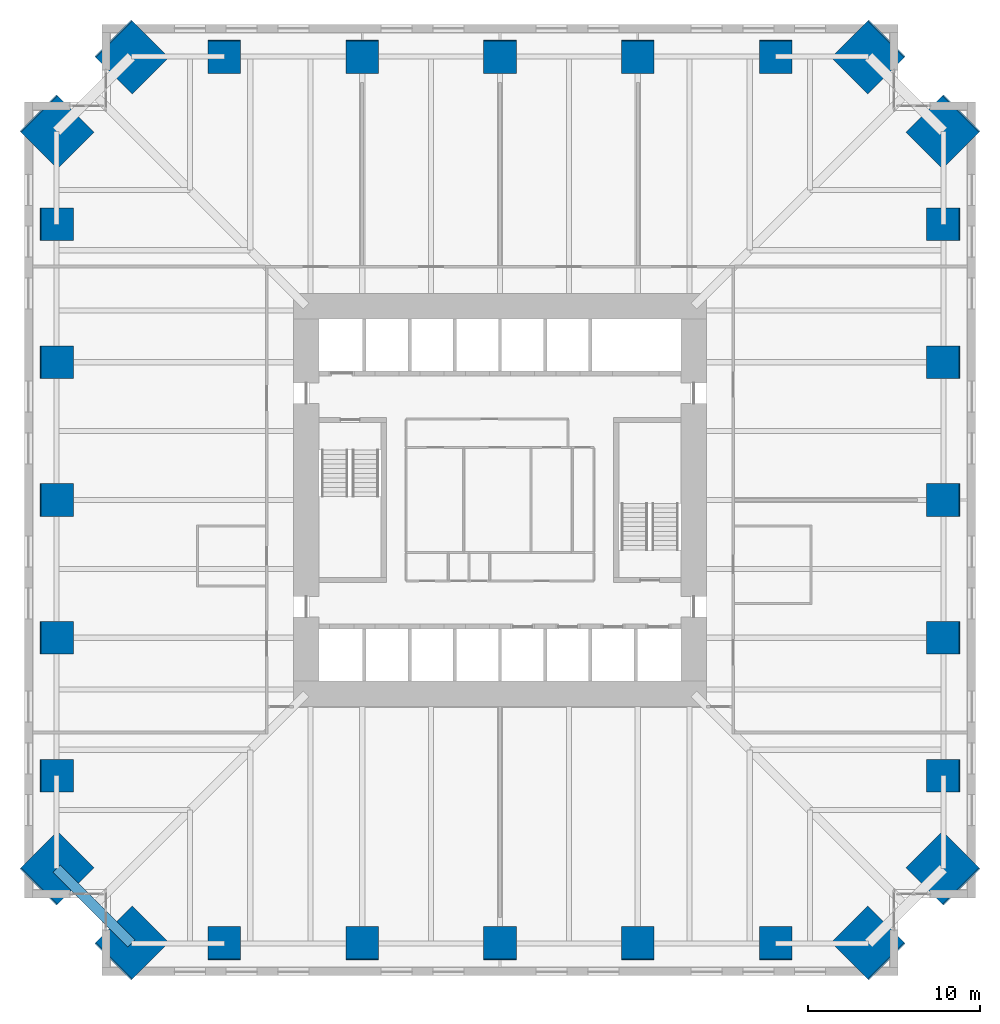
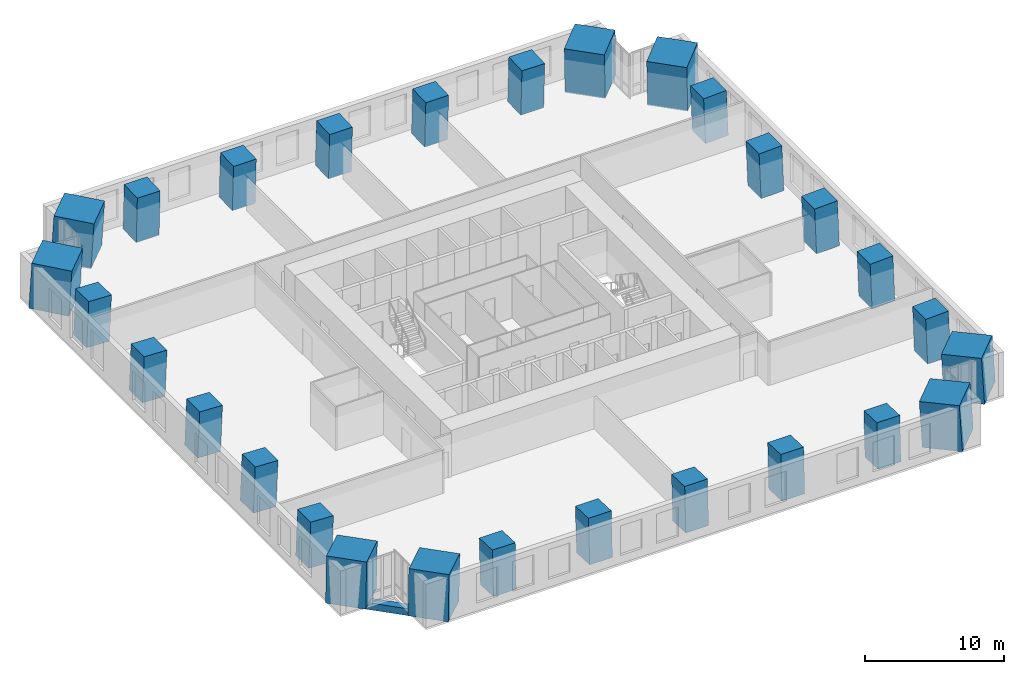
# One storey, part 1 of 16: 28 columns, 1 beam.
"""IFC4 building model written with IfcOpenShell, lengths in metres."""

from ifc_helpers import new_model, si_unit, direction, frame, origin, origin_2d, place, context, subcontext, project, spatial, rectangle, hollow_rectangle, extrude, material, material_profile, profile_set, type_object, element, save


model = new_model("IFC4")

# Units and contexts
model_context = context("Model", 3, precision=1e-05, world=origin(), true_north=direction((0.0, 1.0)))
body_context = subcontext(model_context, "Body", "Model", "MODEL_VIEW")
ifc_project = project(units=[si_unit("LENGTHUNIT", "METRE"), si_unit("AREAUNIT", "SQUARE_METRE"), si_unit("VOLUMEUNIT", "CUBIC_METRE"), si_unit("PLANEANGLEUNIT", "RADIAN"), si_unit("MASSUNIT", "GRAM", prefix="KILO")], contexts=[model_context])

# Site, building, storey
site_placement = place(None, origin())
site = spatial("IfcSite", under=ifc_project, at=site_placement, CompositionType="ELEMENT")
building_placement = place(site_placement, origin())
building = spatial("IfcBuilding", under=site, at=building_placement, Name="Peilmerk Tower", CompositionType="ELEMENT")
storey_placement = place(building_placement, frame((0.0, 0.0, 127.800048828125)))
storey = spatial("IfcBuildingStorey", under=building, at=storey_placement, Name="L25", CompositionType="ELEMENT", Elevation=127.800048828125)

# Columns
ifc_material_1 = material(Name="Concrete C90/105", Category="concrete")
ifc_material_profile_1 = material_profile(ifc_material_1, rectangle(XDim=3.0, YDim=3.0, at=origin_2d()), Name="RC 3000x3000")
ifc_profile_set_1 = profile_set([ifc_material_profile_1], Name="Concrete C90/105")
column_type_1 = type_object("IfcColumnType", Name="MC2 3000x3000 encased mega column", PredefinedType="COLUMN", material=ifc_profile_set_1)
for number, where, z_axis, x_axis, name in (
    (1, (21.3935546875, 25.74365234375, 0.0), (-0.040278731567, -0.040278731567, 0.998376305592), (0.707106781187, -0.707106781187, 0.0), "Mega column MC2 NE_N L25"),
    (2, (25.74365234375, 21.3935546875, 0.0), (-0.040278731567, -0.040278731567, 0.998376305592), (0.707106781187, -0.707106781187, 0.0), "Mega column MC2 NE_E L25"),
    (3, (25.74365234375, -21.3935546875, 0.0), (-0.040278731567, 0.040278731567, 0.998376305592), (-0.707106781187, -0.707106781187, 0.0), "Mega column MC2 SE_E L25"),
    (4, (21.3935546875, -25.74365234375, 0.0), (-0.040278731567, 0.040278731567, 0.998376305592), (-0.707106781187, -0.707106781187, 0.0), "Mega column MC2 SE_S L25"),
    (5, (-21.3935546875, -25.74365234375, 0.0), (0.040278731567, 0.040278731567, 0.998376305592), (-0.707106781187, 0.707106781187, 0.0), "Mega column MC2 SW_S L25"),
    (6, (-25.74365234375, -21.3935546875, 0.0), (0.040278731567, 0.040278731567, 0.998376305592), (-0.707106781187, 0.707106781187, 0.0), "Mega column MC2 SW_W L25"),
    (7, (-25.74365234375, 21.3935546875, 0.0), (0.040278731567, -0.040278731567, 0.998376305592), (0.707106781187, 0.707106781187, 0.0), "Mega column MC2 NW_W L25"),
    (8, (-21.3935546875, 25.74365234375, 0.0), (0.040278731567, -0.040278731567, 0.998376305592), (0.707106781187, 0.707106781187, 0.0), "Mega column MC2 NW_N L25"),
):
    element("IfcColumn", number, at=place(storey_placement, frame(where, z_axis=z_axis, x_axis=x_axis)), inside=storey, type_object=column_type_1, Name=name, PredefinedType="COLUMN", context=body_context, shape_type="SweptSolid", body=[
        extrude(rectangle(XDim=3.0, YDim=3.0, at=origin_2d()), origin(), (0.0, 0.0, 1.0), 4.006591796875),
    ])
ifc_material_profile_2 = material_profile(ifc_material_1, rectangle(XDim=1.89990234375, YDim=1.89990234375, at=origin_2d()), Name="RC 1900x1900")
ifc_profile_set_2 = profile_set([ifc_material_profile_2], Name="Concrete C90/105")
column_type_2 = type_object("IfcColumnType", Name="SC5 1900x1900 encased perimeter column", PredefinedType="COLUMN", material=ifc_profile_set_2)
for number, where, z_axis, x_axis, name in (
    (9, (0.0, 25.74365234375, 0.0), (0.0, -0.040311445006, 0.999187163349), (1.0, 0.0, 0.0), "Perimeter column N+0 L25"),
    (10, (8.0, 25.74365234375, 0.0), (0.0, -0.040311445006, 0.999187163349), (1.0, 0.0, 0.0), "Perimeter column N-8 L25"),
    (11, (-8.0, 25.74365234375, 0.0), (0.0, -0.040311445006, 0.999187163349), (1.0, 0.0, 0.0), "Perimeter column N+8 L25"),
    (12, (16.0, 25.74365234375, 0.0), (0.0, -0.040311445006, 0.999187163349), (1.0, 0.0, 0.0), "Perimeter column N-16 L25"),
    (13, (-16.0, 25.74365234375, 0.0), (0.0, -0.040311445006, 0.999187163349), (1.0, 0.0, 0.0), "Perimeter column N+16 L25"),
    (14, (25.74365234375, 0.0, 0.0), (-0.040311445006, 0.0, 0.999187163349), (0.0, -1.0, 0.0), "Perimeter column E+0 L25"),
    (15, (25.74365234375, -8.0, 0.0), (-0.040311445006, 0.0, 0.999187163349), (0.0, -1.0, 0.0), "Perimeter column E-8 L25"),
    (16, (25.74365234375, 8.0, 0.0), (-0.040311445006, 0.0, 0.999187163349), (0.0, -1.0, 0.0), "Perimeter column E+8 L25"),
    (17, (25.74365234375, -16.0, 0.0), (-0.040311445006, 0.0, 0.999187163349), (0.0, -1.0, 0.0), "Perimeter column E-16 L25"),
    (18, (25.74365234375, 16.0, 0.0), (-0.040311445006, 0.0, 0.999187163349), (0.0, -1.0, 0.0), "Perimeter column E+16 L25"),
    (19, (0.0, -25.74365234375, 0.0), (0.0, 0.040311445006, 0.999187163349), (-1.0, 0.0, 0.0), "Perimeter column S+0 L25"),
    (20, (-8.0, -25.74365234375, 0.0), (0.0, 0.040311445006, 0.999187163349), (-1.0, 0.0, 0.0), "Perimeter column S-8 L25"),
    (21, (8.0, -25.74365234375, 0.0), (0.0, 0.040311445006, 0.999187163349), (-1.0, 0.0, 0.0), "Perimeter column S+8 L25"),
    (22, (-16.0, -25.74365234375, 0.0), (0.0, 0.040311445006, 0.999187163349), (-1.0, 0.0, 0.0), "Perimeter column S-16 L25"),
    (23, (16.0, -25.74365234375, 0.0), (0.0, 0.040311445006, 0.999187163349), (-1.0, 0.0, 0.0), "Perimeter column S+16 L25"),
    (24, (-25.74365234375, 0.0, 0.0), (0.040311445006, 0.0, 0.999187163349), (0.0, 1.0, 0.0), "Perimeter column W+0 L25"),
    (25, (-25.74365234375, 8.0, 0.0), (0.040311445006, 0.0, 0.999187163349), (0.0, 1.0, 0.0), "Perimeter column W-8 L25"),
    (26, (-25.74365234375, -8.0, 0.0), (0.040311445006, 0.0, 0.999187163349), (0.0, 1.0, 0.0), "Perimeter column W+8 L25"),
    (27, (-25.74365234375, 16.0, 0.0), (0.040311445006, 0.0, 0.999187163349), (0.0, 1.0, 0.0), "Perimeter column W-16 L25"),
    (28, (-25.74365234375, -16.0, 0.0), (0.040311445006, 0.0, 0.999187163349), (0.0, 1.0, 0.0), "Perimeter column W+16 L25"),
):
    element("IfcColumn", number, at=place(storey_placement, frame(where, z_axis=z_axis, x_axis=x_axis)), inside=storey, type_object=column_type_2, Name=name, PredefinedType="COLUMN", context=body_context, shape_type="SweptSolid", body=[
        extrude(rectangle(XDim=1.89990234375, YDim=1.89990234375, at=origin_2d()), origin(), (0.0, 0.0, 1.0), 4.003173828125),
    ])

# Beam
ifc_material_2 = material(Name="Steel S460", Category="steel")
ifc_material_profile_3 = material_profile(ifc_material_2, hollow_rectangle(XDim=0.60009765625, YDim=0.60009765625, WallThickness=0.06005859375, at=origin_2d()), Name="BOX 600x600x60")
ifc_profile_set_3 = profile_set([ifc_material_profile_3], Name="Steel S460")
beam_type = type_object("IfcBeamType", Name="B20 BOX 600x600x60 notch beam", PredefinedType="SPANDREL", material=ifc_profile_set_3)
beam_placement = place(storey_placement, frame((-21.3935546875, -25.74365234375, -0.469970703125), z_axis=(-0.707106781187, 0.707106781187, 0.0), x_axis=(-0.707106781187, -0.707106781187, 0.0)))
element("IfcBeam", 29, at=beam_placement, inside=storey, type_object=beam_type, Name="Notch beam L25", PredefinedType="SPANDREL", context=body_context, shape_type="SweptSolid", body=[
    extrude(hollow_rectangle(XDim=0.60009765625, YDim=0.60009765625, WallThickness=0.06005859375, at=origin_2d()), origin(), (0.0, 0.0, 1.0), 6.15185546875),
])

save(model, "model.ifc")
